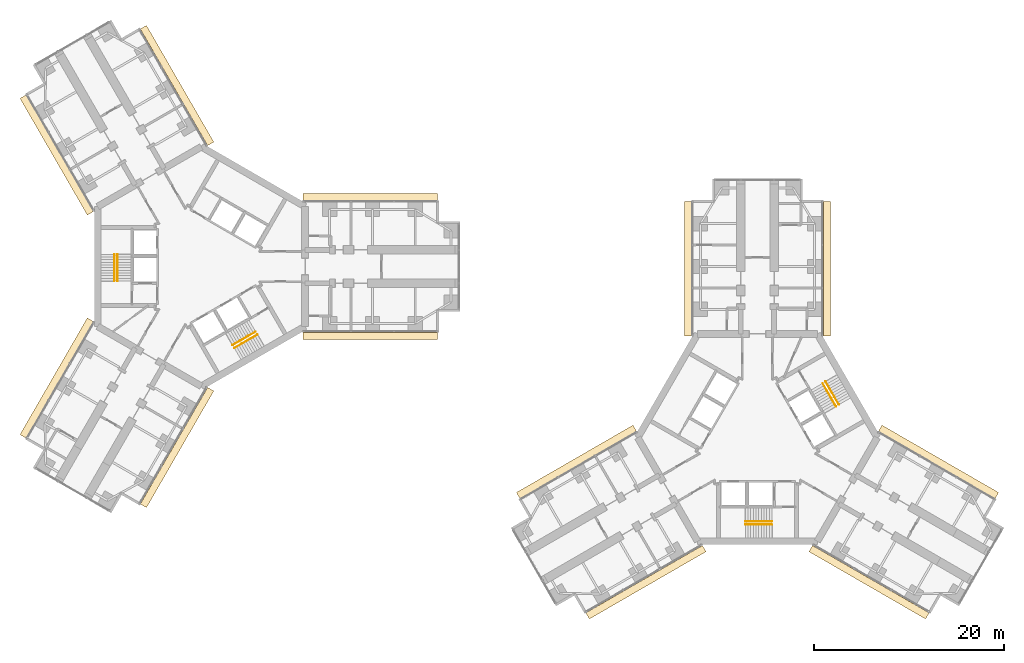
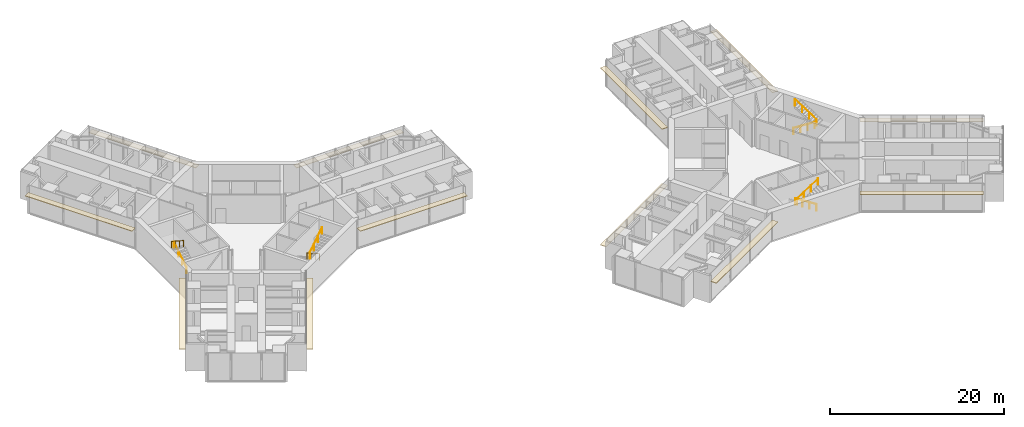
# One storey, part 23 of 23: 12 coverings, 8 railings.
"""IFC4 building model written with IfcOpenShell, lengths in metres."""

from ifc_helpers import new_model, si_unit, direction, frame, origin, origin_2d, place, context, subcontext, project, spatial, rectangle, circle, extrude, material, layer, layer_set, type_object, element, save


model = new_model("IFC4")

# Units and contexts
model_context = context("Model", 3, precision=1e-05, world=origin(), true_north=direction((0.0, 1.0)))
body_context = subcontext(model_context, "Body", "Model", "MODEL_VIEW")
ifc_project = project(units=[si_unit("LENGTHUNIT", "METRE"), si_unit("AREAUNIT", "SQUARE_METRE"), si_unit("VOLUMEUNIT", "CUBIC_METRE"), si_unit("PLANEANGLEUNIT", "RADIAN"), si_unit("MASSUNIT", "GRAM", prefix="KILO")], contexts=[model_context])

# Site, building, storey
site_placement = place(None, origin())
site = spatial("IfcSite", under=ifc_project, at=site_placement, CompositionType="ELEMENT")
building_placement = place(site_placement, origin())
building = spatial("IfcBuilding", under=site, at=building_placement, Name="Upepo Twin Towers", CompositionType="ELEMENT")
storey_placement = place(building_placement, frame((0.0, 0.0, 24.5)))
storey = spatial("IfcBuildingStorey", under=building, at=storey_placement, Name="L05", CompositionType="ELEMENT", Elevation=24.5)

# Coverings
ifc_material_1 = material(Name="Anodised aluminium, pale silver", Category="aluminium")
ifc_layer = layer(ifc_material_1, 0.080078125)
ifc_layer_set = layer_set([ifc_layer], Name="Brise-soleil blade 750 pale aluminium")
covering_type = type_object("IfcCoveringType", Name="Brise-soleil blade 750 pale aluminium", PredefinedType="USERDEFINED", material=ifc_layer_set)
for number, where, z_axis, x_axis, name in (
    (1, (17.7685546875, 7.304931640625, 2.909912109375), (0.0, 0.0, 1.0), (1.0, 0.0, 0.0), "T1 L05 wing A brise-soleil L"),
    (2, (17.7685546875, -7.304931640625, 2.909912109375), (0.0, 0.0, 1.0), (1.0, 0.0, 0.0), "T1 L05 wing A brise-soleil R"),
    (3, (-15.210693359375, 11.735595703125, 2.909912109375), (0.0, 0.0, 1.0), (-0.50000003023, 0.866025386331, 0.0), "T1 L05 wing B brise-soleil L"),
    (4, (-2.557861328125, 19.04052734375, 2.909912109375), (0.0, 0.0, 1.0), (-0.49999996977, 0.866025421238, 0.0), "T1 L05 wing B brise-soleil R"),
    (5, (-2.557861328125, -19.04052734375, 2.909912109375), (0.0, 0.0, 1.0), (-0.49999996977, -0.866025421238, 0.0), "T1 L05 wing C brise-soleil L"),
    (6, (-15.210693359375, -11.735595703125, 2.909912109375), (0.0, 0.0, 1.0), (-0.50000003023, -0.866025386331, 0.0), "T1 L05 wing C brise-soleil R"),
    (7, (51.195068359375, -0.2314453125, 2.909912109375), (0.0, 0.0, 1.0), (0.0, 1.0, 0.0), "T2 L05 wing A brise-soleil L"),
    (8, (65.804931640625, -0.2314453125, 2.909912109375), (0.0, 0.0, 1.0), (0.0, 1.0, 0.0), "T2 L05 wing A brise-soleil R"),
    (9, (46.764404296875, -33.210693359375, 2.909912109375), (0.0, 0.0, 1.0), (-0.866025386331, -0.50000003023, 0.0), "T2 L05 wing B brise-soleil L"),
    (10, (39.45947265625, -20.557861328125, 2.909912109375), (0.0, 0.0, 1.0), (-0.866025421238, -0.49999996977, 0.0), "T2 L05 wing B brise-soleil R"),
    (11, (77.54052734375, -20.557861328125, 2.909912109375), (0.0, 0.0, 1.0), (0.866025421238, -0.49999996977, 0.0), "T2 L05 wing C brise-soleil L"),
    (12, (70.235595703125, -33.210693359375, 2.909912109375), (0.0, 0.0, 1.0), (0.866025386331, -0.50000003023, 0.0), "T2 L05 wing C brise-soleil R"),
):
    element("IfcCovering", number, at=place(storey_placement, frame(where, z_axis=z_axis, x_axis=x_axis)), inside=storey, type_object=covering_type, Name=name, ObjectType="SUNSHADE", PredefinedType="USERDEFINED", context=body_context, shape_type="SweptSolid", body=[
        extrude(rectangle(XDim=14.162841796875, YDim=0.75, at=origin_2d()), origin(), (0.0, 0.0, 1.0), 0.080078125),
    ])

# Railings
ifc_material_2 = material(Name="Stainless steel", Category="steel")
railing_type = type_object("IfcRailingType", Name="Stair handrail 900", PredefinedType="HANDRAIL", material=ifc_material_2)
railing_1_placement = place(storey_placement, frame((-8.800048828125, -1.52001953125, 0.181884765625)))
element("IfcRailing", 13, at=railing_1_placement, inside=storey, type_object=railing_type, Name="T1 stair S1 L05 handrail 1", PredefinedType="HANDRAIL", context=body_context, shape_type="SweptSolid", body=[
    extrude(circle(Radius=0.02392578125, at=origin_2d()), frame((0.0, 0.0, 0.8759765625), z_axis=(0.0, 0.838705829183, 0.544584733623), x_axis=(-1.0, 0.0, 0.0)), (0.0, 0.0, 1.0), 3.338623046875),
    extrude(circle(Radius=0.02099609375, at=origin_2d()), origin(), (0.0, 0.0, 1.0), 0.851806640625),
    extrude(circle(Radius=0.02099609375, at=origin_2d()), frame((0.0, 0.933349609375, 0.60595703125)), (0.0, 0.0, 1.0), 0.851806640625),
    extrude(circle(Radius=0.02099609375, at=origin_2d()), frame((0.0, 1.86669921875, 1.212158203125)), (0.0, 0.0, 1.0), 0.851806640625),
    extrude(circle(Radius=0.02099609375, at=origin_2d()), frame((0.0, 2.800048828125, 1.818115234375)), (0.0, 0.0, 1.0), 0.851806640625),
])
railing_2_placement = place(storey_placement, frame((-9.158447265625, 1.280029296875, 2.181884765625)))
element("IfcRailing", 14, at=railing_2_placement, inside=storey, type_object=railing_type, Name="T1 stair S1 L05 handrail 2", PredefinedType="HANDRAIL", context=body_context, shape_type="SweptSolid", body=[
    extrude(circle(Radius=0.02392578125, at=origin_2d()), frame((0.0, 0.0, 0.8759765625), z_axis=(0.0, -0.838705829183, 0.544584733623), x_axis=(1.0, 0.0, 0.0)), (0.0, 0.0, 1.0), 3.338623046875),
    extrude(circle(Radius=0.02099609375, at=origin_2d()), origin(), (0.0, 0.0, 1.0), 0.851806640625),
    extrude(circle(Radius=0.02099609375, at=origin_2d()), frame((0.0, -0.933349609375, 0.60595703125)), (0.0, 0.0, 1.0), 0.851806640625),
    extrude(circle(Radius=0.02099609375, at=origin_2d()), frame((0.0, -1.86669921875, 1.212158203125)), (0.0, 0.0, 1.0), 0.851806640625),
    extrude(circle(Radius=0.02099609375, at=origin_2d()), frame((0.0, -2.800048828125, 1.818115234375)), (0.0, 0.0, 1.0), 0.851806640625),
])
railing_3_placement = place(storey_placement, frame((5.71630859375, -6.861083984375, 0.181884765625)))
element("IfcRailing", 15, at=railing_3_placement, inside=storey, type_object=railing_type, Name="T1 stair S2 L05 handrail 1", PredefinedType="HANDRAIL", context=body_context, shape_type="SweptSolid", body=[
    extrude(circle(Radius=0.02392578125, at=origin_2d()), frame((0.0, 0.0, 0.8759765625), z_axis=(-0.726336304947, -0.419332699614, 0.544605966869), x_axis=(0.49998411664, -0.866034573852, 0.0)), (0.0, 0.0, 1.0), 3.33837890625),
    extrude(circle(Radius=0.02099609375, at=origin_2d()), origin(), (0.0, 0.0, 1.0), 0.851806640625),
    extrude(circle(Radius=0.02099609375, at=origin_2d()), frame((-0.808349609375, -0.466552734375, 0.60595703125)), (0.0, 0.0, 1.0), 0.851806640625),
    extrude(circle(Radius=0.02099609375, at=origin_2d()), frame((-1.616455078125, -0.933349609375, 1.212158203125)), (0.0, 0.0, 1.0), 0.851806640625),
    extrude(circle(Radius=0.02099609375, at=origin_2d()), frame((-2.4248046875, -1.39990234375, 1.818115234375)), (0.0, 0.0, 1.0), 0.851806640625),
])
railing_4_placement = place(storey_placement, frame((3.470703125, -8.5712890625, 2.181884765625)))
element("IfcRailing", 16, at=railing_4_placement, inside=storey, type_object=railing_type, Name="T1 stair S2 L05 handrail 2", PredefinedType="HANDRAIL", context=body_context, shape_type="SweptSolid", body=[
    extrude(circle(Radius=0.02392578125, at=origin_2d()), frame((0.0, 0.0, 0.8759765625), z_axis=(0.726336304947, 0.419332699614, 0.544605966869), x_axis=(-0.49998411664, 0.866034573852, 0.0)), (0.0, 0.0, 1.0), 3.33837890625),
    extrude(circle(Radius=0.02099609375, at=origin_2d()), origin(), (0.0, 0.0, 1.0), 0.851806640625),
    extrude(circle(Radius=0.02099609375, at=origin_2d()), frame((0.808349609375, 0.466552734375, 0.60595703125)), (0.0, 0.0, 1.0), 0.851806640625),
    extrude(circle(Radius=0.02099609375, at=origin_2d()), frame((1.616455078125, 0.933349609375, 1.212158203125)), (0.0, 0.0, 1.0), 0.851806640625),
    extrude(circle(Radius=0.02099609375, at=origin_2d()), frame((2.4248046875, 1.39990234375, 1.818115234375)), (0.0, 0.0, 1.0), 0.851806640625),
])
railing_5_placement = place(storey_placement, frame((60.02001953125, -26.800048828125, 0.181884765625)))
element("IfcRailing", 17, at=railing_5_placement, inside=storey, type_object=railing_type, Name="T2 stair S1 L05 handrail 1", PredefinedType="HANDRAIL", context=body_context, shape_type="SweptSolid", body=[
    extrude(circle(Radius=0.02392578125, at=origin_2d()), frame((0.0, 0.0, 0.8759765625), z_axis=(-0.838705829183, 0.0, 0.544584733623), x_axis=(0.0, -1.0, 0.0)), (0.0, 0.0, 1.0), 3.338623046875),
    extrude(circle(Radius=0.02099609375, at=origin_2d()), origin(), (0.0, 0.0, 1.0), 0.851806640625),
    extrude(circle(Radius=0.02099609375, at=origin_2d()), frame((-0.933349609375, 0.0, 0.60595703125)), (0.0, 0.0, 1.0), 0.851806640625),
    extrude(circle(Radius=0.02099609375, at=origin_2d()), frame((-1.86669921875, 0.0, 1.212158203125)), (0.0, 0.0, 1.0), 0.851806640625),
    extrude(circle(Radius=0.02099609375, at=origin_2d()), frame((-2.800048828125, 0.0, 1.818115234375)), (0.0, 0.0, 1.0), 0.851806640625),
])
railing_6_placement = place(storey_placement, frame((57.219970703125, -27.158447265625, 2.181884765625)))
element("IfcRailing", 18, at=railing_6_placement, inside=storey, type_object=railing_type, Name="T2 stair S1 L05 handrail 2", PredefinedType="HANDRAIL", context=body_context, shape_type="SweptSolid", body=[
    extrude(circle(Radius=0.02392578125, at=origin_2d()), frame((0.0, 0.0, 0.8759765625), z_axis=(0.838705829183, 0.0, 0.544584733623), x_axis=(0.0, 1.0, 0.0)), (0.0, 0.0, 1.0), 3.338623046875),
    extrude(circle(Radius=0.02099609375, at=origin_2d()), origin(), (0.0, 0.0, 1.0), 0.851806640625),
    extrude(circle(Radius=0.02099609375, at=origin_2d()), frame((0.933349609375, 0.0, 0.60595703125)), (0.0, 0.0, 1.0), 0.851806640625),
    extrude(circle(Radius=0.02099609375, at=origin_2d()), frame((1.86669921875, 0.0, 1.212158203125)), (0.0, 0.0, 1.0), 0.851806640625),
    extrude(circle(Radius=0.02099609375, at=origin_2d()), frame((2.800048828125, 0.0, 1.818115234375)), (0.0, 0.0, 1.0), 0.851806640625),
])
railing_7_placement = place(storey_placement, frame((65.361083984375, -12.28369140625, 0.181884765625)))
element("IfcRailing", 19, at=railing_7_placement, inside=storey, type_object=railing_type, Name="T2 stair S2 L05 handrail 1", PredefinedType="HANDRAIL", context=body_context, shape_type="SweptSolid", body=[
    extrude(circle(Radius=0.02392578125, at=origin_2d()), frame((0.0, 0.0, 0.8759765625), z_axis=(0.419332699614, -0.726336304947, 0.544605966869), x_axis=(0.866034573852, 0.49998411664, 0.0)), (0.0, 0.0, 1.0), 3.33837890625),
    extrude(circle(Radius=0.02099609375, at=origin_2d()), origin(), (0.0, 0.0, 1.0), 0.851806640625),
    extrude(circle(Radius=0.02099609375, at=origin_2d()), frame((0.466552734375, -0.808349609375, 0.60595703125)), (0.0, 0.0, 1.0), 0.851806640625),
    extrude(circle(Radius=0.02099609375, at=origin_2d()), frame((0.933349609375, -1.616455078125, 1.212158203125)), (0.0, 0.0, 1.0), 0.851806640625),
    extrude(circle(Radius=0.02099609375, at=origin_2d()), frame((1.39990234375, -2.4248046875, 1.818115234375)), (0.0, 0.0, 1.0), 0.851806640625),
])
railing_8_placement = place(storey_placement, frame((67.0712890625, -14.529296875, 2.181884765625)))
element("IfcRailing", 20, at=railing_8_placement, inside=storey, type_object=railing_type, Name="T2 stair S2 L05 handrail 2", PredefinedType="HANDRAIL", context=body_context, shape_type="SweptSolid", body=[
    extrude(circle(Radius=0.02392578125, at=origin_2d()), frame((0.0, 0.0, 0.8759765625), z_axis=(-0.419332699614, 0.726336304947, 0.544605966869), x_axis=(-0.866034573852, -0.49998411664, 0.0)), (0.0, 0.0, 1.0), 3.33837890625),
    extrude(circle(Radius=0.02099609375, at=origin_2d()), origin(), (0.0, 0.0, 1.0), 0.851806640625),
    extrude(circle(Radius=0.02099609375, at=origin_2d()), frame((-0.466552734375, 0.808349609375, 0.60595703125)), (0.0, 0.0, 1.0), 0.851806640625),
    extrude(circle(Radius=0.02099609375, at=origin_2d()), frame((-0.933349609375, 1.616455078125, 1.212158203125)), (0.0, 0.0, 1.0), 0.851806640625),
    extrude(circle(Radius=0.02099609375, at=origin_2d()), frame((-1.39990234375, 2.4248046875, 1.818115234375)), (0.0, 0.0, 1.0), 0.851806640625),
])

save(model, "model.ifc")
